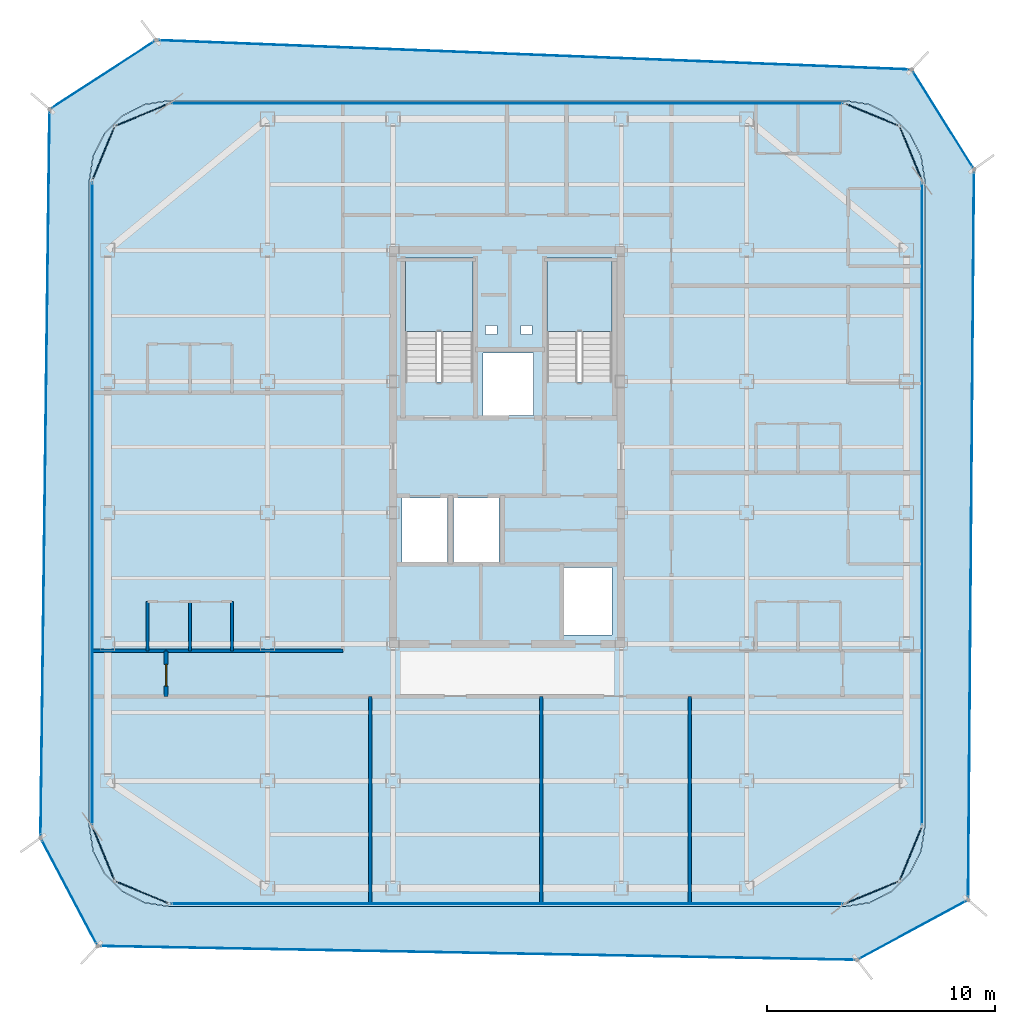
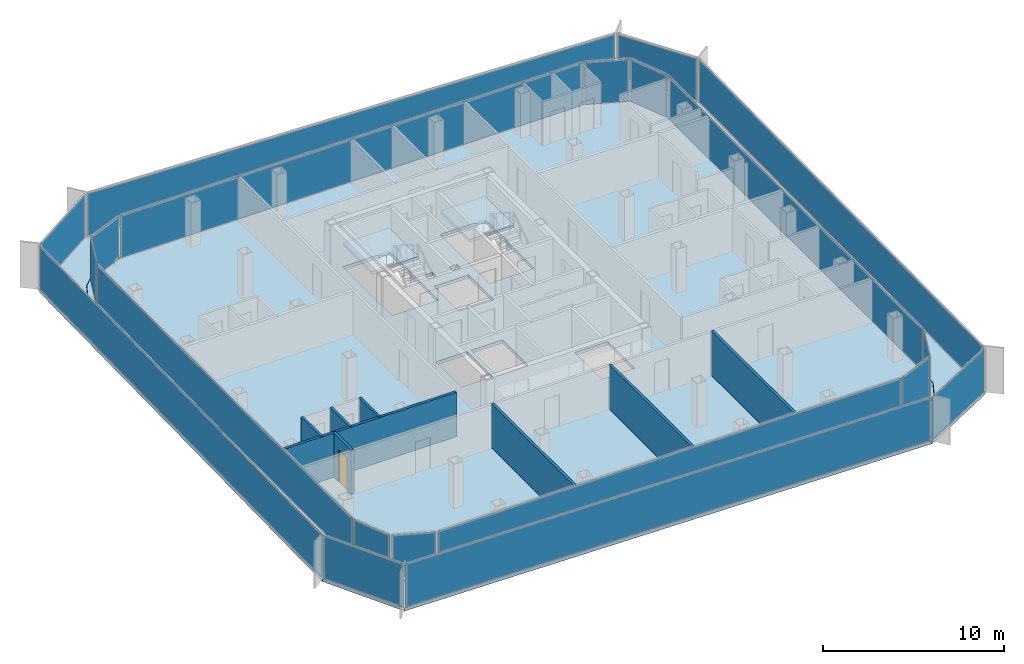
# One storey, part 9 of 15: 20 plates, 9 walls, 4 slabs, 1 door, 1 opening, 22 elements without a shape of their own.
"""IFC4 building model written with IfcOpenShell, lengths in metres."""

from ifc_helpers import new_model, si_unit, direction, frame, frame_2d, origin, origin_2d, place, context, subcontext, project, spatial, polyline, rectangle, outline, extrude, source, transform, mapped, material, layer, layer_set, type_object, element, fill, aggregate, save


model = new_model("IFC4")

# Units and contexts
model_context = context("Model", 3, precision=1e-05, world=origin(), true_north=direction((0.0, 1.0)))
body_context = subcontext(model_context, "Body", "Model", "MODEL_VIEW")
ifc_project = project(units=[si_unit("LENGTHUNIT", "METRE"), si_unit("AREAUNIT", "SQUARE_METRE"), si_unit("VOLUMEUNIT", "CUBIC_METRE"), si_unit("PLANEANGLEUNIT", "RADIAN"), si_unit("MASSUNIT", "GRAM", prefix="KILO")], contexts=[model_context])

# Site, building, storey
site_placement = place(None, origin())
site = spatial("IfcSite", under=ifc_project, at=site_placement, CompositionType="ELEMENT")
building_placement = place(site_placement, origin())
building = spatial("IfcBuilding", under=site, at=building_placement, Name="Kolveth Station Tower", CompositionType="ELEMENT")
storey_placement = place(building_placement, frame((0.0, 0.0, 245.699951171875)))
storey = spatial("IfcBuildingStorey", under=building, at=storey_placement, Name="L70", CompositionType="ELEMENT", Elevation=245.699951171875)

# Slab
ifc_material_1 = material(Name="Concrete C40/50", Category="concrete")
ifc_layer_1 = layer(ifc_material_1, 0.219970703125)
ifc_layer_set_1 = layer_set([ifc_layer_1], Name="Concrete C40/50")
slab_type_1 = type_object("IfcSlabType", Name="Slab_SF-220", PredefinedType="FLOOR", material=ifc_layer_set_1)
slab_1_placement = place(storey_placement, frame((0.0, 0.0, -0.219970703125)))
element("IfcSlab", 1, at=slab_1_placement, inside=storey, type_object=slab_type_1, Name="L70 Tower Structural Floor Slab", PredefinedType="FLOOR", context=body_context, shape_type="SweptSolid", body=[
    extrude(outline(polyline([(38.300048828125, 0.0), (39.381591796875, 0.17138671875), (40.357177734375, 0.66845703125), (41.131591796875, 1.44287109375), (41.628662109375, 2.41845703125), (41.800048828125, 3.5), (41.800048828125, 31.800048828125), (41.628662109375, 32.881591796875), (41.131591796875, 33.857177734375), (40.357177734375, 34.631591796875), (39.381591796875, 35.128662109375), (38.300048828125, 35.300048828125), (8.699951171875, 35.300048828125), (7.618408203125, 35.128662109375), (6.642822265625, 34.631591796875), (5.868408203125, 33.857177734375), (5.371337890625, 32.881591796875), (5.199951171875, 31.800048828125), (5.199951171875, 3.5), (5.371337890625, 2.41845703125), (5.868408203125, 1.44287109375), (6.642822265625, 0.66845703125), (7.618408203125, 0.17138671875), (8.699951171875, 0.0), (38.300048828125, 0.0)]), holes=[polyline([(19.0400390625, 22.985107421875), (22.0, 22.985107421875), (22.0, 28.39990234375), (19.0400390625, 28.39990234375), (19.0400390625, 22.985107421875)]), polyline([(25.239990234375, 22.985107421875), (28.10009765625, 22.985107421875), (28.10009765625, 28.39990234375), (25.239990234375, 28.39990234375), (25.239990234375, 22.985107421875)]), polyline([(18.89990234375, 15.10009765625), (20.89990234375, 15.10009765625), (20.89990234375, 17.89990234375), (18.89990234375, 17.89990234375), (18.89990234375, 15.10009765625)]), polyline([(21.14990234375, 15.10009765625), (23.14990234375, 15.10009765625), (23.14990234375, 17.89990234375), (21.14990234375, 17.89990234375), (21.14990234375, 15.10009765625)]), polyline([(22.449951171875, 21.5), (24.64990234375, 21.5), (24.64990234375, 24.25), (22.449951171875, 24.25), (22.449951171875, 21.5)]), polyline([(26.0, 11.89990234375), (28.10009765625, 11.89990234375), (28.10009765625, 14.85009765625), (26.0, 14.85009765625), (26.0, 11.89990234375)]), polyline([(22.550048828125, 25.050048828125), (23.050048828125, 25.050048828125), (23.050048828125, 25.449951171875), (22.550048828125, 25.449951171875), (22.550048828125, 25.050048828125)]), polyline([(24.10009765625, 25.050048828125), (24.60009765625, 25.050048828125), (24.60009765625, 25.449951171875), (24.10009765625, 25.449951171875), (24.10009765625, 25.050048828125)])]), origin(), (0.0, 0.0, 1.0), 0.219970703125),
])

# Stair, slab
stair_type_1 = type_object("IfcStairType", Name="Stair_ST2", PredefinedType="HALF_TURN_STAIR", material=ifc_material_1)
stair_1_placement = place(storey_placement, origin())
stair_1 = element("IfcStair", 2, at=stair_1_placement, inside=storey, type_object=stair_type_1, Name="L70 Tower Exit Stair ST2", PredefinedType="HALF_TURN_STAIR")
ifc_layer_2 = layer(ifc_material_1, 0.18994140625)
ifc_layer_set_2 = layer_set([ifc_layer_2], Name="Concrete C40/50")
slab_type_2 = type_object("IfcSlabType", Name="Slab_SL-190", PredefinedType="LANDING", material=ifc_layer_set_2)
slab_2_placement = place(storey_placement, frame((0.0, 0.0, 1.400146484375)))
slab_2 = element("IfcSlab", 3, at=slab_2_placement, type_object=slab_type_2, Name="ST2 landing 1", PredefinedType="LANDING", context=body_context, shape_type="SweptSolid", body=[
    extrude(outline(polyline([(28.10009765625, 25.18994140625), (28.10009765625, 28.39990234375), (25.239990234375, 28.39990234375), (25.239990234375, 25.18994140625), (28.10009765625, 25.18994140625)])), origin(), (0.0, 0.0, 1.0), 0.199951171875),
])
aggregate(stair_1, [slab_2])

stair_type_2 = type_object("IfcStairType", Name="Stair_ST1", PredefinedType="HALF_TURN_STAIR", material=ifc_material_1)
stair_2_placement = place(storey_placement, origin())
stair_2 = element("IfcStair", 4, at=stair_2_placement, inside=storey, type_object=stair_type_2, Name="L70 Tower Exit Stair ST1", PredefinedType="HALF_TURN_STAIR")
ifc_layer_3 = layer(ifc_material_1, 0.205078125)
ifc_layer_set_3 = layer_set([ifc_layer_3], Name="Concrete C40/50")
slab_type_3 = type_object("IfcSlabType", Name="Slab_SL-205", PredefinedType="LANDING", material=ifc_layer_set_3)
slab_3_placement = place(storey_placement, frame((0.0, 0.0, 1.400146484375)))
slab_3 = element("IfcSlab", 5, at=slab_3_placement, type_object=slab_type_3, Name="ST1 landing 1", PredefinedType="LANDING", context=body_context, shape_type="SweptSolid", body=[
    extrude(outline(polyline([(22.0, 25.18994140625), (22.0, 28.39990234375), (19.0400390625, 28.39990234375), (19.0400390625, 25.18994140625), (22.0, 25.18994140625)])), origin(), (0.0, 0.0, 1.0), 0.199951171875),
])
aggregate(stair_2, [slab_3])

# Slab
ifc_layer_4 = layer(ifc_material_1, 0.2099609375)
ifc_layer_set_4 = layer_set([ifc_layer_4], Name="Concrete C40/50")
slab_type_4 = type_object("IfcSlabType", Name="Slab_ST-210", PredefinedType="FLOOR", material=ifc_layer_set_4)
slab_4_placement = place(storey_placement, frame((0.0, 0.0, -0.2099609375)))
element("IfcSlab", 6, at=slab_4_placement, inside=storey, type_object=slab_type_4, Name="L70 Double-Skin Cavity Structural Ledger Ring", PredefinedType="FLOOR", context=body_context, shape_type="SweptSolid", body=[
    extrude(outline(polyline([(5.56201171875, -1.736083984375), (3.058349609375, 3.004150390625), (3.455078125, 34.92529296875), (8.126220703125, 37.95458984375), (41.226806640625, 36.66748046875), (43.960205078125, 32.298095703125), (43.701904296875, 0.284912109375), (38.835693359375, -2.3447265625), (5.56201171875, -1.736083984375)]), holes=[polyline([(38.30224609375, -0.014892578125), (39.3837890625, 0.156494140625), (39.388427734375, 0.157958984375), (40.364013671875, 0.655029296875), (40.367919921875, 0.65771484375), (41.14208984375, 1.43212890625), (41.14501953125, 1.43603515625), (41.64208984375, 2.41162109375), (41.6435546875, 2.416015625), (41.814697265625, 3.497802734375), (41.81494140625, 3.5), (41.81494140625, 31.800048828125), (41.814697265625, 31.80224609375), (41.6435546875, 32.8837890625), (41.64208984375, 32.888427734375), (41.14501953125, 33.864013671875), (41.14208984375, 33.867919921875), (40.367919921875, 34.64208984375), (40.364013671875, 34.64501953125), (39.388427734375, 35.14208984375), (39.3837890625, 35.1435546875), (38.30224609375, 35.314697265625), (38.300048828125, 35.31494140625), (8.699951171875, 35.31494140625), (8.69775390625, 35.314697265625), (7.6162109375, 35.1435546875), (7.611572265625, 35.14208984375), (6.635986328125, 34.64501953125), (6.632080078125, 34.64208984375), (5.85791015625, 33.867919921875), (5.85498046875, 33.864013671875), (5.35791015625, 32.888427734375), (5.3564453125, 32.8837890625), (5.185302734375, 31.80224609375), (5.18505859375, 31.800048828125), (5.18505859375, 3.5), (5.185302734375, 3.497802734375), (5.3564453125, 2.416015625), (5.35791015625, 2.41162109375), (5.85498046875, 1.43603515625), (5.85791015625, 1.43212890625), (6.632080078125, 0.65771484375), (6.635986328125, 0.655029296875), (7.611572265625, 0.157958984375), (7.6162109375, 0.156494140625), (8.69775390625, -0.014892578125), (8.699951171875, -0.014892578125), (38.300048828125, -0.014892578125), (38.30224609375, -0.014892578125)])]), origin(), (0.0, 0.0, 1.0), 0.2099609375),
])

# Curtain wall, plate
ifc_material_2 = material(Name="Aluminium 6063-T6 and triple low-E dark glass", Category="aluminium")
ifc_layer_5 = layer(ifc_material_2, 0.199951171875)
ifc_layer_set_5 = layer_set([ifc_layer_5], Name="Aluminium 6063-T6 and triple low-E dark glass")
curtain_wall_type_1 = type_object("IfcCurtainWallType", Name="CurtainWall_CW-Z3", PredefinedType="NOTDEFINED", material=ifc_layer_set_5)
curtain_wall_1_placement = place(storey_placement, origin())
curtain_wall_1 = element("IfcCurtainWall", 7, at=curtain_wall_1_placement, inside=storey, type_object=curtain_wall_type_1, Name="L70 Inner Thermal Curtain Wall 1", PredefinedType="NOTDEFINED")
ifc_material_3 = material(Name="Architectural low-E dark glass", Category="glass")
ifc_layer_6 = layer(ifc_material_3, 0.0419921875)
ifc_layer_set_6 = layer_set([ifc_layer_6], Name="Architectural low-E dark glass")
plate_type_1 = type_object("IfcPlateType", Name="Panel_GL3", PredefinedType="CURTAIN_PANEL", material=ifc_layer_set_6)
shared_shape_1 = source(origin(), body_context, "Body", "SweptSolid", [
    extrude(rectangle(XDim=2.430908203125, YDim=0.0419921875, at=origin_2d()), origin(), (0.0, 0.0, 1.0), 2.823974609375),
])
plate_1_placement = place(storey_placement, frame((39.4951171875, 0.614990234375, 0.078125), z_axis=(0.0, 0.0, 1.0), x_axis=(0.923875488975, 0.382693194181, 0.0)))
plate_1 = element("IfcPlate", 8, at=plate_1_placement, type_object=plate_type_1, Name="CW-Z3 panel 1.1", PredefinedType="CURTAIN_PANEL", context=body_context, shape_type="MappedRepresentation", body=[
    mapped(shared_shape_1, transform((0.0, 0.0, 0.0), x_axis=(1.0, 0.0, 0.0), y_axis=(0.0, 1.0, 0.0), z_axis=(0.0, 0.0, 1.0), scale=1.0)),
])
aggregate(curtain_wall_1, [plate_1])

curtain_wall_2_placement = place(storey_placement, origin())
curtain_wall_2 = element("IfcCurtainWall", 9, at=curtain_wall_2_placement, inside=storey, type_object=curtain_wall_type_1, Name="L70 Inner Thermal Curtain Wall 2", PredefinedType="NOTDEFINED")
plate_2_placement = place(storey_placement, frame((41.18505859375, 2.304931640625, 0.078125), z_axis=(0.0, 0.0, 1.0), x_axis=(0.382693194181, 0.923875488975, 0.0)))
plate_2 = element("IfcPlate", 10, at=plate_2_placement, type_object=plate_type_1, Name="CW-Z3 panel 1.1", PredefinedType="CURTAIN_PANEL", context=body_context, shape_type="MappedRepresentation", body=[
    mapped(shared_shape_1, transform((0.0, 0.0, 0.0), x_axis=(1.0, 0.0, 0.0), y_axis=(0.0, 1.0, 0.0), z_axis=(0.0, 0.0, 1.0), scale=1.0)),
])
aggregate(curtain_wall_2, [plate_2])

curtain_wall_3_placement = place(storey_placement, origin())
curtain_wall_3 = element("IfcCurtainWall", 11, at=curtain_wall_3_placement, inside=storey, type_object=curtain_wall_type_1, Name="L70 Inner Thermal Curtain Wall 4", PredefinedType="NOTDEFINED")
plate_3_placement = place(storey_placement, frame((41.18505859375, 32.9951171875, 0.078125), z_axis=(0.0, 0.0, 1.0), x_axis=(-0.382693194181, 0.923875488975, 0.0)))
plate_3 = element("IfcPlate", 12, at=plate_3_placement, type_object=plate_type_1, Name="CW-Z3 panel 1.1", PredefinedType="CURTAIN_PANEL", context=body_context, shape_type="MappedRepresentation", body=[
    mapped(shared_shape_1, transform((0.0, 0.0, 0.0), x_axis=(1.0, 0.0, 0.0), y_axis=(0.0, 1.0, 0.0), z_axis=(0.0, 0.0, 1.0), scale=1.0)),
])
aggregate(curtain_wall_3, [plate_3])

curtain_wall_4_placement = place(storey_placement, origin())
curtain_wall_4 = element("IfcCurtainWall", 13, at=curtain_wall_4_placement, inside=storey, type_object=curtain_wall_type_1, Name="L70 Inner Thermal Curtain Wall 5", PredefinedType="NOTDEFINED")
plate_4_placement = place(storey_placement, frame((39.4951171875, 34.68505859375, 0.078125), z_axis=(0.0, 0.0, 1.0), x_axis=(-0.923875488975, 0.382693194181, 0.0)))
plate_4 = element("IfcPlate", 14, at=plate_4_placement, type_object=plate_type_1, Name="CW-Z3 panel 1.1", PredefinedType="CURTAIN_PANEL", context=body_context, shape_type="MappedRepresentation", body=[
    mapped(shared_shape_1, transform((0.0, 0.0, 0.0), x_axis=(1.0, 0.0, 0.0), y_axis=(0.0, 1.0, 0.0), z_axis=(0.0, 0.0, 1.0), scale=1.0)),
])
aggregate(curtain_wall_4, [plate_4])

curtain_wall_5_placement = place(storey_placement, origin())
curtain_wall_5 = element("IfcCurtainWall", 15, at=curtain_wall_5_placement, inside=storey, type_object=curtain_wall_type_1, Name="L70 Inner Thermal Curtain Wall 7", PredefinedType="NOTDEFINED")
plate_5_placement = place(storey_placement, frame((7.5048828125, 34.68505859375, 0.078125), z_axis=(0.0, 0.0, 1.0), x_axis=(-0.923875488975, -0.382693194181, 0.0)))
plate_5 = element("IfcPlate", 16, at=plate_5_placement, type_object=plate_type_1, Name="CW-Z3 panel 1.1", PredefinedType="CURTAIN_PANEL", context=body_context, shape_type="MappedRepresentation", body=[
    mapped(shared_shape_1, transform((0.0, 0.0, 0.0), x_axis=(1.0, 0.0, 0.0), y_axis=(0.0, 1.0, 0.0), z_axis=(0.0, 0.0, 1.0), scale=1.0)),
])
aggregate(curtain_wall_5, [plate_5])

curtain_wall_6_placement = place(storey_placement, origin())
curtain_wall_6 = element("IfcCurtainWall", 17, at=curtain_wall_6_placement, inside=storey, type_object=curtain_wall_type_1, Name="L70 Inner Thermal Curtain Wall 8", PredefinedType="NOTDEFINED")
plate_6_placement = place(storey_placement, frame((5.81494140625, 32.9951171875, 0.078125), z_axis=(0.0, 0.0, 1.0), x_axis=(-0.382693194181, -0.923875488975, 0.0)))
plate_6 = element("IfcPlate", 18, at=plate_6_placement, type_object=plate_type_1, Name="CW-Z3 panel 1.1", PredefinedType="CURTAIN_PANEL", context=body_context, shape_type="MappedRepresentation", body=[
    mapped(shared_shape_1, transform((0.0, 0.0, 0.0), x_axis=(1.0, 0.0, 0.0), y_axis=(0.0, 1.0, 0.0), z_axis=(0.0, 0.0, 1.0), scale=1.0)),
])
aggregate(curtain_wall_6, [plate_6])

curtain_wall_7_placement = place(storey_placement, origin())
curtain_wall_7 = element("IfcCurtainWall", 19, at=curtain_wall_7_placement, inside=storey, type_object=curtain_wall_type_1, Name="L70 Inner Thermal Curtain Wall 10", PredefinedType="NOTDEFINED")
plate_7_placement = place(storey_placement, frame((5.81494140625, 2.304931640625, 0.078125), z_axis=(0.0, 0.0, 1.0), x_axis=(0.382693194181, -0.923875488975, 0.0)))
plate_7 = element("IfcPlate", 20, at=plate_7_placement, type_object=plate_type_1, Name="CW-Z3 panel 1.1", PredefinedType="CURTAIN_PANEL", context=body_context, shape_type="MappedRepresentation", body=[
    mapped(shared_shape_1, transform((0.0, 0.0, 0.0), x_axis=(1.0, 0.0, 0.0), y_axis=(0.0, 1.0, 0.0), z_axis=(0.0, 0.0, 1.0), scale=1.0)),
])
aggregate(curtain_wall_7, [plate_7])

curtain_wall_8_placement = place(storey_placement, origin())
curtain_wall_8 = element("IfcCurtainWall", 21, at=curtain_wall_8_placement, inside=storey, type_object=curtain_wall_type_1, Name="L70 Inner Thermal Curtain Wall 11", PredefinedType="NOTDEFINED")
plate_8_placement = place(storey_placement, frame((7.5048828125, 0.614990234375, 0.078125), z_axis=(0.0, 0.0, 1.0), x_axis=(0.923875488975, -0.382693194181, 0.0)))
plate_8 = element("IfcPlate", 22, at=plate_8_placement, type_object=plate_type_1, Name="CW-Z3 panel 1.1", PredefinedType="CURTAIN_PANEL", context=body_context, shape_type="MappedRepresentation", body=[
    mapped(shared_shape_1, transform((0.0, 0.0, 0.0), x_axis=(1.0, 0.0, 0.0), y_axis=(0.0, 1.0, 0.0), z_axis=(0.0, 0.0, 1.0), scale=1.0)),
])
aggregate(curtain_wall_8, [plate_8])

curtain_wall_9_placement = place(storey_placement, origin())
curtain_wall_9 = element("IfcCurtainWall", 23, at=curtain_wall_9_placement, inside=storey, type_object=curtain_wall_type_1, Name="L70 Inner Thermal Curtain Wall 3", PredefinedType="NOTDEFINED")
shared_shape_2 = source(origin(), body_context, "Body", "SweptSolid", [
    extrude(rectangle(XDim=28.14404296875, YDim=0.0419921875, at=origin_2d()), origin(), (0.0, 0.0, 1.0), 2.823974609375),
])
plate_9_placement = place(storey_placement, frame((41.679931640625, 17.64990234375, 0.078125), z_axis=(0.0, 0.0, 1.0), x_axis=(0.0, 1.0, 0.0)))
plate_9 = element("IfcPlate", 24, at=plate_9_placement, type_object=plate_type_1, Name="CW-Z3 panel 1.1", PredefinedType="CURTAIN_PANEL", context=body_context, shape_type="MappedRepresentation", body=[
    mapped(shared_shape_2, transform((0.0, 0.0, 0.0), x_axis=(1.0, 0.0, 0.0), y_axis=(0.0, 1.0, 0.0), z_axis=(0.0, 0.0, 1.0), scale=1.0)),
])
aggregate(curtain_wall_9, [plate_9])

curtain_wall_10_placement = place(storey_placement, origin())
curtain_wall_10 = element("IfcCurtainWall", 25, at=curtain_wall_10_placement, inside=storey, type_object=curtain_wall_type_1, Name="L70 Inner Thermal Curtain Wall 9", PredefinedType="NOTDEFINED")
plate_10_placement = place(storey_placement, frame((5.320068359375, 17.64990234375, 0.078125), z_axis=(0.0, 0.0, 1.0), x_axis=(0.0, -1.0, 0.0)))
plate_10 = element("IfcPlate", 26, at=plate_10_placement, type_object=plate_type_1, Name="CW-Z3 panel 1.1", PredefinedType="CURTAIN_PANEL", context=body_context, shape_type="MappedRepresentation", body=[
    mapped(shared_shape_2, transform((0.0, 0.0, 0.0), x_axis=(1.0, 0.0, 0.0), y_axis=(0.0, 1.0, 0.0), z_axis=(0.0, 0.0, 1.0), scale=1.0)),
])
aggregate(curtain_wall_10, [plate_10])

curtain_wall_11_placement = place(storey_placement, origin())
curtain_wall_11 = element("IfcCurtainWall", 27, at=curtain_wall_11_placement, inside=storey, type_object=curtain_wall_type_1, Name="L70 Inner Thermal Curtain Wall 6", PredefinedType="NOTDEFINED")
shared_shape_3 = source(origin(), body_context, "Body", "SweptSolid", [
    extrude(rectangle(XDim=29.444091796875, YDim=0.0419921875, at=origin_2d()), origin(), (0.0, 0.0, 1.0), 2.823974609375),
])
plate_11_placement = place(storey_placement, frame((23.5, 35.179931640625, 0.078125), z_axis=(0.0, 0.0, 1.0), x_axis=(-1.0, 0.0, 0.0)))
plate_11 = element("IfcPlate", 28, at=plate_11_placement, type_object=plate_type_1, Name="CW-Z3 panel 1.1", PredefinedType="CURTAIN_PANEL", context=body_context, shape_type="MappedRepresentation", body=[
    mapped(shared_shape_3, transform((0.0, 0.0, 0.0), x_axis=(1.0, 0.0, 0.0), y_axis=(0.0, 1.0, 0.0), z_axis=(0.0, 0.0, 1.0), scale=1.0)),
])
aggregate(curtain_wall_11, [plate_11])

curtain_wall_12_placement = place(storey_placement, origin())
curtain_wall_12 = element("IfcCurtainWall", 29, at=curtain_wall_12_placement, inside=storey, type_object=curtain_wall_type_1, Name="L70 Inner Thermal Curtain Wall 12", PredefinedType="NOTDEFINED")
plate_12_placement = place(storey_placement, frame((23.5, 0.1201171875, 0.078125), z_axis=(0.0, 0.0, 1.0), x_axis=(1.0, 0.0, 0.0)))
plate_12 = element("IfcPlate", 30, at=plate_12_placement, type_object=plate_type_1, Name="CW-Z3 panel 1.1", PredefinedType="CURTAIN_PANEL", context=body_context, shape_type="MappedRepresentation", body=[
    mapped(shared_shape_3, transform((0.0, 0.0, 0.0), x_axis=(1.0, 0.0, 0.0), y_axis=(0.0, 1.0, 0.0), z_axis=(0.0, 0.0, 1.0), scale=1.0)),
])
aggregate(curtain_wall_12, [plate_12])

ifc_material_4 = material(Name="Black anodized aluminium 6063-T6 and dark solar glass", Category="aluminium")
ifc_layer_7 = layer(ifc_material_4, 0.159912109375)
ifc_layer_set_7 = layer_set([ifc_layer_7], Name="Black anodized aluminium 6063-T6 and dark solar glass")
curtain_wall_type_2 = type_object("IfcCurtainWallType", Name="OUTER SKIN CW-OS", PredefinedType="NOTDEFINED", material=ifc_layer_set_7)
curtain_wall_13_placement = place(storey_placement, origin())
curtain_wall_13 = element("IfcCurtainWall", 31, at=curtain_wall_13_placement, inside=storey, type_object=curtain_wall_type_2, Name="L70 Outer Ventilated Skin Curtain Wall 1", PredefinedType="NOTDEFINED")
ifc_layer_8 = layer(ifc_material_3, 0.028076171875)
ifc_layer_set_8 = layer_set([ifc_layer_8], Name="Architectural low-E dark glass")
plate_type_2 = type_object("IfcPlateType", Name="Panel_GL-OS", PredefinedType="CURTAIN_PANEL", material=ifc_layer_set_8)
shared_shape_4 = source(origin(), body_context, "Body", "SweptSolid", [
    extrude(rectangle(XDim=5.365234375, YDim=0.028076171875, at=origin_2d()), origin(), (0.0, 0.0, 1.0), 2.843994140625),
])
plate_13_placement = place(storey_placement, frame((41.268798828125, -1.02978515625, 0.0732421875), z_axis=(0.0, 0.0, 1.0), x_axis=(0.879750250522, 0.475436112119, 0.0)))
plate_13 = element("IfcPlate", 32, at=plate_13_placement, type_object=plate_type_2, Name="CW-OS panel 1.1", PredefinedType="CURTAIN_PANEL", context=body_context, shape_type="MappedRepresentation", body=[
    mapped(shared_shape_4, transform((0.0, 0.0, 0.0), x_axis=(1.0, 0.0, 0.0), y_axis=(0.0, 1.0, 0.0), z_axis=(0.0, 0.0, 1.0), scale=1.0)),
])
aggregate(curtain_wall_13, [plate_13])

curtain_wall_14_placement = place(storey_placement, origin())
curtain_wall_14 = element("IfcCurtainWall", 33, at=curtain_wall_14_placement, inside=storey, type_object=curtain_wall_type_2, Name="L70 Outer Ventilated Skin Curtain Wall 2", PredefinedType="NOTDEFINED")
shared_shape_5 = source(origin(), body_context, "Body", "SweptSolid", [
    extrude(rectangle(XDim=31.84814453125, YDim=0.028076171875, at=origin_2d()), origin(), (0.0, 0.0, 1.0), 2.843994140625),
])
plate_14_placement = place(storey_placement, frame((43.8310546875, 16.29150390625, 0.0732421875), z_axis=(0.0, 0.0, 1.0), x_axis=(0.008071407501, 0.99996742566, 0.0)))
plate_14 = element("IfcPlate", 34, at=plate_14_placement, type_object=plate_type_2, Name="CW-OS panel 1.1", PredefinedType="CURTAIN_PANEL", context=body_context, shape_type="MappedRepresentation", body=[
    mapped(shared_shape_5, transform((0.0, 0.0, 0.0), x_axis=(1.0, 0.0, 0.0), y_axis=(0.0, 1.0, 0.0), z_axis=(0.0, 0.0, 1.0), scale=1.0)),
])
aggregate(curtain_wall_14, [plate_14])

curtain_wall_15_placement = place(storey_placement, origin())
curtain_wall_15 = element("IfcCurtainWall", 35, at=curtain_wall_15_placement, inside=storey, type_object=curtain_wall_type_2, Name="L70 Outer Ventilated Skin Curtain Wall 3", PredefinedType="NOTDEFINED")
shared_shape_6 = source(origin(), body_context, "Body", "SweptSolid", [
    extrude(rectangle(XDim=4.98779296875, YDim=0.028076171875, at=origin_2d()), origin(), (0.0, 0.0, 1.0), 2.843994140625),
])
plate_15_placement = place(storey_placement, frame((42.593505859375, 34.48291015625, 0.0732421875), z_axis=(0.0, 0.0, 1.0), x_axis=(-0.530354696065, 0.847775852665, 0.0)))
plate_15 = element("IfcPlate", 36, at=plate_15_placement, type_object=plate_type_2, Name="CW-OS panel 1.1", PredefinedType="CURTAIN_PANEL", context=body_context, shape_type="MappedRepresentation", body=[
    mapped(shared_shape_6, transform((0.0, 0.0, 0.0), x_axis=(1.0, 0.0, 0.0), y_axis=(0.0, 1.0, 0.0), z_axis=(0.0, 0.0, 1.0), scale=1.0)),
])
aggregate(curtain_wall_15, [plate_15])

curtain_wall_16_placement = place(storey_placement, origin())
curtain_wall_16 = element("IfcCurtainWall", 37, at=curtain_wall_16_placement, inside=storey, type_object=curtain_wall_type_2, Name="L70 Outer Ventilated Skin Curtain Wall 4", PredefinedType="NOTDEFINED")
shared_shape_7 = source(origin(), body_context, "Body", "SweptSolid", [
    extrude(rectangle(XDim=32.959716796875, YDim=0.028076171875, at=origin_2d()), origin(), (0.0, 0.0, 1.0), 2.843994140625),
])
plate_16_placement = place(storey_placement, frame((24.676513671875, 37.31103515625, 0.0732421875), z_axis=(0.0, 0.0, 1.0), x_axis=(-0.999244629073, 0.038860922122, 0.0)))
plate_16 = element("IfcPlate", 38, at=plate_16_placement, type_object=plate_type_2, Name="CW-OS panel 1.1", PredefinedType="CURTAIN_PANEL", context=body_context, shape_type="MappedRepresentation", body=[
    mapped(shared_shape_7, transform((0.0, 0.0, 0.0), x_axis=(1.0, 0.0, 0.0), y_axis=(0.0, 1.0, 0.0), z_axis=(0.0, 0.0, 1.0), scale=1.0)),
])
aggregate(curtain_wall_16, [plate_16])

curtain_wall_17_placement = place(storey_placement, origin())
curtain_wall_17 = element("IfcCurtainWall", 39, at=curtain_wall_17_placement, inside=storey, type_object=curtain_wall_type_2, Name="L70 Outer Ventilated Skin Curtain Wall 5", PredefinedType="NOTDEFINED")
shared_shape_8 = source(origin(), body_context, "Body", "SweptSolid", [
    extrude(rectangle(XDim=5.401611328125, YDim=0.028076171875, at=origin_2d()), origin(), (0.0, 0.0, 1.0), 2.843994140625),
])
plate_17_placement = place(storey_placement, frame((5.79052734375, 36.43994140625, 0.0732421875), z_axis=(0.0, 0.0, 1.0), x_axis=(-0.838994308581, -0.544140193487, 0.0)))
plate_17 = element("IfcPlate", 40, at=plate_17_placement, type_object=plate_type_2, Name="CW-OS panel 1.1", PredefinedType="CURTAIN_PANEL", context=body_context, shape_type="MappedRepresentation", body=[
    mapped(shared_shape_8, transform((0.0, 0.0, 0.0), x_axis=(1.0, 0.0, 0.0), y_axis=(0.0, 1.0, 0.0), z_axis=(0.0, 0.0, 1.0), scale=1.0)),
])
aggregate(curtain_wall_17, [plate_17])

curtain_wall_18_placement = place(storey_placement, origin())
curtain_wall_18 = element("IfcCurtainWall", 41, at=curtain_wall_18_placement, inside=storey, type_object=curtain_wall_type_2, Name="L70 Outer Ventilated Skin Curtain Wall 6", PredefinedType="NOTDEFINED")
shared_shape_9 = source(origin(), body_context, "Body", "SweptSolid", [
    extrude(rectangle(XDim=31.757568359375, YDim=0.028076171875, at=origin_2d()), origin(), (0.0, 0.0, 1.0), 2.843994140625),
])
plate_18_placement = place(storey_placement, frame((3.256591796875, 18.964599609375, 0.0732421875), z_axis=(0.0, 0.0, 1.0), x_axis=(-0.012426557028, -0.999922787359, 0.0)))
plate_18 = element("IfcPlate", 42, at=plate_18_placement, type_object=plate_type_2, Name="CW-OS panel 1.1", PredefinedType="CURTAIN_PANEL", context=body_context, shape_type="MappedRepresentation", body=[
    mapped(shared_shape_9, transform((0.0, 0.0, 0.0), x_axis=(1.0, 0.0, 0.0), y_axis=(0.0, 1.0, 0.0), z_axis=(0.0, 0.0, 1.0), scale=1.0)),
])
aggregate(curtain_wall_18, [plate_18])

curtain_wall_19_placement = place(storey_placement, origin())
curtain_wall_19 = element("IfcCurtainWall", 43, at=curtain_wall_19_placement, inside=storey, type_object=curtain_wall_type_2, Name="L70 Outer Ventilated Skin Curtain Wall 7", PredefinedType="NOTDEFINED")
shared_shape_10 = source(origin(), body_context, "Body", "SweptSolid", [
    extrude(rectangle(XDim=5.19482421875, YDim=0.028076171875, at=origin_2d()), origin(), (0.0, 0.0, 1.0), 2.843994140625),
])
plate_19_placement = place(storey_placement, frame((4.31005859375, 0.634033203125, 0.0732421875), z_axis=(0.0, 0.0, 1.0), x_axis=(0.467032154502, -0.884240333089, 0.0)))
plate_19 = element("IfcPlate", 44, at=plate_19_placement, type_object=plate_type_2, Name="CW-OS panel 1.1", PredefinedType="CURTAIN_PANEL", context=body_context, shape_type="MappedRepresentation", body=[
    mapped(shared_shape_10, transform((0.0, 0.0, 0.0), x_axis=(1.0, 0.0, 0.0), y_axis=(0.0, 1.0, 0.0), z_axis=(0.0, 0.0, 1.0), scale=1.0)),
])
aggregate(curtain_wall_19, [plate_19])

curtain_wall_20_placement = place(storey_placement, origin())
curtain_wall_20 = element("IfcCurtainWall", 45, at=curtain_wall_20_placement, inside=storey, type_object=curtain_wall_type_2, Name="L70 Outer Ventilated Skin Curtain Wall 8", PredefinedType="NOTDEFINED")
shared_shape_11 = source(origin(), body_context, "Body", "SweptSolid", [
    extrude(rectangle(XDim=33.11328125, YDim=0.028076171875, at=origin_2d()), origin(), (0.0, 0.0, 1.0), 2.843994140625),
])
plate_20_placement = place(storey_placement, frame((22.19873046875, -2.04052734375, 0.0732421875), z_axis=(0.0, 0.0, 1.0), x_axis=(0.999832765697, -0.018287718225, 0.0)))
plate_20 = element("IfcPlate", 46, at=plate_20_placement, type_object=plate_type_2, Name="CW-OS panel 1.1", PredefinedType="CURTAIN_PANEL", context=body_context, shape_type="MappedRepresentation", body=[
    mapped(shared_shape_11, transform((0.0, 0.0, 0.0), x_axis=(1.0, 0.0, 0.0), y_axis=(0.0, 1.0, 0.0), z_axis=(0.0, 0.0, 1.0), scale=1.0)),
])
aggregate(curtain_wall_20, [plate_20])

# Walls
ifc_material_5 = material(Name="Moisture-resistant gypsum partition")
ifc_layer_9 = layer(ifc_material_5, 0.135009765625)
ifc_layer_set_9 = layer_set([ifc_layer_9], Name="Moisture-resistant gypsum partition")
wall_type_1 = type_object("IfcWallType", Name="Wall_IW-135", PredefinedType="PARTITIONING", material=ifc_layer_set_9)
for number, where, z_axis, x_axis, name in (
    (47, (7.75, 11.199951171875, 0.0), (0.0, 0.0, 1.0), (0.0, 1.0, 0.0), "L70 Partition Wall WL-L70-W1-IBV0"),
    (48, (9.60009765625, 11.199951171875, 0.0), (0.0, 0.0, 1.0), (0.0, 1.0, 0.0), "L70 Partition Wall WL-L70-W1-IBV1"),
    (49, (11.449951171875, 11.199951171875, 0.0), (0.0, 0.0, 1.0), (0.0, 1.0, 0.0), "L70 Partition Wall WL-L70-W1-IBV2"),
):
    element("IfcWall", number, at=place(storey_placement, frame(where, z_axis=z_axis, x_axis=x_axis)), inside=storey, type_object=wall_type_1, Name=name, PredefinedType="PARTITIONING", context=body_context, shape_type="SweptSolid", body=[
        extrude(rectangle(XDim=2.150146484375, YDim=0.135009765625, at=frame_2d((1.0751953125, 0.0))), origin(), (0.0, 0.0, 1.0), 2.97998046875),
    ])
ifc_material_6 = material(Name="Acoustic double-stud gypsum partition")
ifc_layer_10 = layer(ifc_material_6, 0.1650390625)
ifc_layer_set_10 = layer_set([ifc_layer_10], Name="Acoustic double-stud gypsum partition")
wall_type_2 = type_object("IfcWallType", Name="Wall_IW-165", PredefinedType="PARTITIONING", material=ifc_layer_set_10)
wall_1_placement = place(storey_placement, frame((8.56005859375, 11.199951171875, 0.0), z_axis=(0.0, 0.0, 1.0), x_axis=(1.0, 0.0, 0.0)))
element("IfcWall", 50, at=wall_1_placement, inside=storey, type_object=wall_type_2, Name="L70 Partition Wall WL-L70-RSWT", PredefinedType="PARTITIONING", context=body_context, shape_type="SweptSolid", body=[
    extrude(rectangle(XDim=7.739990234375, YDim=0.1650390625, at=frame_2d((3.8701171875, 0.0))), origin(), (0.0, 0.0, 1.0), 2.97998046875),
])

# Wall, opening, door
wall_2_placement = place(storey_placement, frame((8.56005859375, 9.199951171875, 0.0), z_axis=(0.0, 0.0, 1.0), x_axis=(0.0, 1.0, 0.0)))
wall_2 = element("IfcWall", 51, at=wall_2_placement, inside=storey, type_object=wall_type_2, Name="L70 Partition Wall WL-L70-RSWE", PredefinedType="PARTITIONING", context=body_context, shape_type="SweptSolid", body=[
    extrude(rectangle(XDim=2.0, YDim=0.1650390625, at=frame_2d((1.0, 0.0))), origin(), (0.0, 0.0, 1.0), 2.97998046875),
])
opening_placement = place(wall_2_placement, frame((0.449951171875, 0.0, 0.0)))
opening = element("IfcOpeningElement", 52, at=opening_placement, cuts=wall_2, Name="Opening ID1", PredefinedType="OPENING", context=body_context, shape_type="SweptSolid", body=[
    extrude(rectangle(XDim=0.949951171875, YDim=2.14990234375, at=frame_2d((0.47509765625, 1.074951171875))), frame((0.0, 0.092529296875, 0.0), z_axis=(0.0, -1.0, 0.0), x_axis=(1.0, 0.0, 0.0)), (0.0, 0.0, 1.0), 0.18505859375),
])
ifc_material_7 = material(Name="Acoustic hardwood leaf and aluminium frame", Category="wood")
door_type = type_object("IfcDoorType", Name="Door_ID1", OperationType="NOTDEFINED", PredefinedType="DOOR", material=ifc_material_7)
door_placement = place(opening_placement, frame((0.949951171875, 0.0, 0.0), z_axis=(0.0, 0.0, 1.0), x_axis=(-1.0, 0.0, 0.0)))
door = element("IfcDoor", 53, at=door_placement, inside=storey, type_object=door_type, Name="L70 West Store Door", OperationType="SINGLE_SWING_RIGHT", OverallHeight=2.14990234375, OverallWidth=0.949951171875, PredefinedType="DOOR", context=body_context, shape_type="SweptSolid", body=[
    extrude(rectangle(XDim=0.949951171875, YDim=2.14990234375, at=frame_2d((0.47509765625, 1.074951171875))), frame((0.0, 0.02490234375, 0.0), z_axis=(0.0, -1.0, 0.0), x_axis=(1.0, 0.0, 0.0)), (0.0, 0.0, 1.0), 0.050048828125),
])
fill(opening, door)

# Walls
for number, where, z_axis, x_axis, name in (
    (54, (17.5, 0.159912109375, 0.0), (0.0, 0.0, 1.0), (0.0, 1.0, 0.0), "L70 Partition Wall WL-L70-RSA-P1"),
    (55, (25.0, 0.159912109375, 0.0), (0.0, 0.0, 1.0), (0.0, 1.0, 0.0), "L70 Partition Wall WL-L70-RSA-P2"),
    (56, (31.5, 0.159912109375, 0.0), (0.0, 0.0, 1.0), (0.0, 1.0, 0.0), "L70 Partition Wall WL-L70-RSA-P3"),
):
    element("IfcWall", number, at=place(storey_placement, frame(where, z_axis=z_axis, x_axis=x_axis)), inside=storey, type_object=wall_type_2, Name=name, PredefinedType="PARTITIONING", context=body_context, shape_type="SweptSolid", body=[
        extrude(rectangle(XDim=9.0400390625, YDim=0.1650390625, at=frame_2d((4.52001953125, 0.0))), origin(), (0.0, 0.0, 1.0), 2.97998046875),
    ])
wall_3_placement = place(storey_placement, frame((5.360107421875, 11.199951171875, 0.0), z_axis=(0.0, 0.0, 1.0), x_axis=(1.0, 0.0, 0.0)))
element("IfcWall", 57, at=wall_3_placement, inside=storey, type_object=wall_type_2, Name="L70 Partition Wall WL-L70-WSTN", PredefinedType="PARTITIONING", context=body_context, shape_type="SweptSolid", body=[
    extrude(rectangle(XDim=3.199951171875, YDim=0.1650390625, at=frame_2d((1.60009765625, 0.0))), origin(), (0.0, 0.0, 1.0), 2.97998046875),
])

save(model, "model.ifc")
